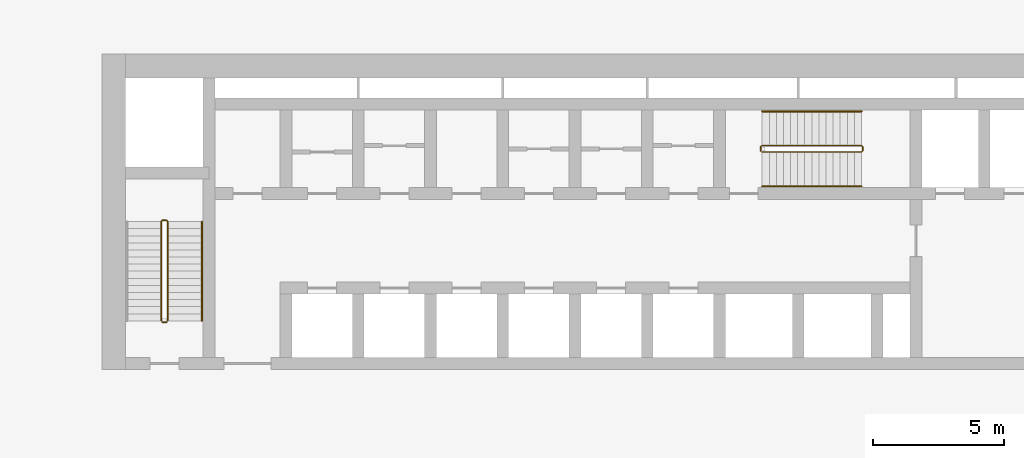
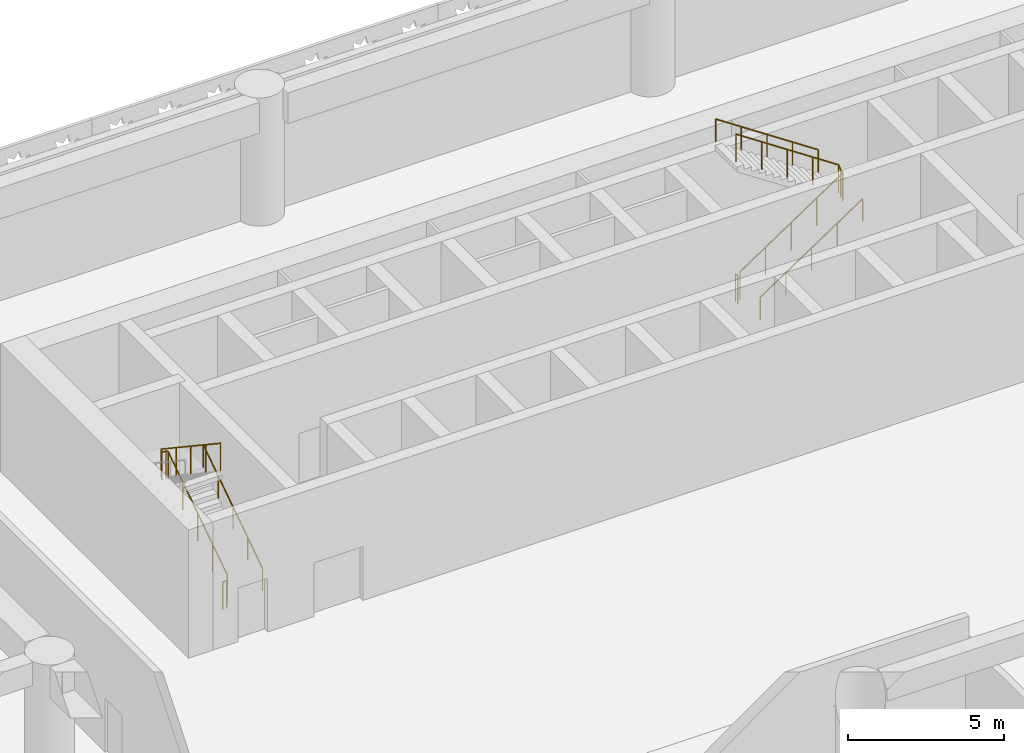
# One storey, part 26 of 30: 7 railings.
"""IFC4 building model written with IfcOpenShell, lengths in metres."""

from ifc_helpers import new_model, si_unit, direction, frame, origin, origin_2d, place, context, subcontext, project, spatial, circle, extrude, material, type_object, element, save


model = new_model("IFC4")

# Units and contexts
model_context = context("Model", 3, precision=1e-05, world=origin(), true_north=direction((0.0, 1.0)))
body_context = subcontext(model_context, "Body", "Model", "MODEL_VIEW")
ifc_project = project(units=[si_unit("LENGTHUNIT", "METRE"), si_unit("AREAUNIT", "SQUARE_METRE"), si_unit("VOLUMEUNIT", "CUBIC_METRE"), si_unit("PLANEANGLEUNIT", "RADIAN"), si_unit("MASSUNIT", "GRAM", prefix="KILO")], contexts=[model_context])

# Site, building, storey
site_placement = place(None, origin())
site = spatial("IfcSite", under=ifc_project, at=site_placement, CompositionType="ELEMENT")
building_placement = place(site_placement, origin())
building = spatial("IfcBuilding", under=site, at=building_placement, Name="Saffron Iwan Residences", CompositionType="ELEMENT")
storey_placement = place(building_placement, frame((0.0, 0.0, 7.800048828125)))
storey = spatial("IfcBuildingStorey", under=building, at=storey_placement, Name="L01", CompositionType="ELEMENT", Elevation=7.800048828125)

# Railings
ifc_material_1 = material(Name="Steel S355", Category="steel")
railing_type_1 = type_object("IfcRailingType", Name="Stair guard 1100", PredefinedType="GUARDRAIL", material=ifc_material_1)
railing_1_placement = place(storey_placement, frame((31.300048828125, 67.85009765625, 0.179931640625)))
element("IfcRailing", 1, at=railing_1_placement, inside=storey, type_object=railing_type_1, Name="L01 ST-W stair guard 1", PredefinedType="GUARDRAIL", context=body_context, shape_type="SweptSolid", body=[
    extrude(circle(Radius=0.02392578125, at=origin_2d()), frame((0.0, 0.0, 1.076171875), z_axis=(0.0, 0.832033757966, 0.554724999982), x_axis=(-1.0, 0.0, 0.0)), (0.0, 0.0, 1.0), 4.542724609375),
    extrude(circle(Radius=0.02392578125, at=origin_2d()), frame((0.0, 3.77978515625, 3.59619140625), z_axis=(-0.707106781187, 0.707106781187, 0.0), x_axis=(-0.707106781187, -0.707106781187, 0.0)), (0.0, 0.0, 1.0), 0.07080078125),
    extrude(circle(Radius=0.02392578125, at=origin_2d()), frame((-0.050048828125, 3.829833984375, 3.59619140625), z_axis=(-1.0, 0.0, 0.0), x_axis=(0.0, -1.0, 0.0)), (0.0, 0.0, 1.0), 0.14990234375),
    extrude(circle(Radius=0.02392578125, at=origin_2d()), frame((-0.199951171875, 3.829833984375, 3.59619140625), z_axis=(-0.258847668887, -0.258847668887, 0.930588936439), x_axis=(0.707106781187, -0.707106781187, 0.0)), (0.0, 0.0, 1.0), 0.193359375),
    extrude(circle(Radius=0.02392578125, at=origin_2d()), frame((-0.25, 3.77978515625, 3.77587890625), z_axis=(0.0, -0.832033757966, 0.554724999982), x_axis=(1.0, 0.0, 0.0)), (0.0, 0.0, 1.0), 4.542724609375),
    extrude(circle(Radius=0.02099609375, at=origin_2d()), origin(), (0.0, 0.0, 1.0), 1.052001953125),
    extrude(circle(Radius=0.02099609375, at=origin_2d()), frame((0.0, 0.94482421875, 0.6298828125)), (0.0, 0.0, 1.0), 1.052001953125),
    extrude(circle(Radius=0.02099609375, at=origin_2d()), frame((0.0, 1.889892578125, 1.260009765625)), (0.0, 0.0, 1.0), 1.052001953125),
    extrude(circle(Radius=0.02099609375, at=origin_2d()), frame((0.0, 2.8349609375, 1.89013671875)), (0.0, 0.0, 1.0), 1.052001953125),
    extrude(circle(Radius=0.02099609375, at=origin_2d()), frame((0.0, 3.77978515625, 2.52001953125)), (0.0, 0.0, 1.0), 1.052001953125),
    extrude(circle(Radius=0.02099609375, at=origin_2d()), frame((-0.050048828125, 3.829833984375, 2.52001953125)), (0.0, 0.0, 1.0), 1.052001953125),
    extrude(circle(Radius=0.02099609375, at=origin_2d()), frame((-0.199951171875, 3.829833984375, 2.52001953125)), (0.0, 0.0, 1.0), 1.052001953125),
    extrude(circle(Radius=0.02099609375, at=origin_2d()), frame((-0.25, 3.77978515625, 2.699951171875)), (0.0, 0.0, 1.0), 1.052001953125),
    extrude(circle(Radius=0.02099609375, at=origin_2d()), frame((-0.25, 2.8349609375, 3.330078125)), (0.0, 0.0, 1.0), 1.052001953125),
    extrude(circle(Radius=0.02099609375, at=origin_2d()), frame((-0.25, 1.889892578125, 3.9599609375)), (0.0, 0.0, 1.0), 1.052001953125),
    extrude(circle(Radius=0.02099609375, at=origin_2d()), frame((-0.25, 0.94482421875, 4.58984375)), (0.0, 0.0, 1.0), 1.052001953125),
    extrude(circle(Radius=0.02099609375, at=origin_2d()), frame((-0.25, 0.0, 5.219970703125)), (0.0, 0.0, 1.0), 1.052001953125),
])
railing_2_placement = place(storey_placement, frame((31.25, 67.800048828125, 0.0)))
element("IfcRailing", 2, at=railing_2_placement, inside=storey, type_object=railing_type_1, Name="L01 ST-W stair guard 2", PredefinedType="GUARDRAIL", context=body_context, shape_type="SweptSolid", body=[
    extrude(circle(Radius=0.02392578125, at=origin_2d()), frame((0.0, 0.0, 1.076171875), z_axis=(-1.0, 0.0, 0.0), x_axis=(0.0, -1.0, 0.0)), (0.0, 0.0, 1.0), 0.14990234375),
    extrude(circle(Radius=0.02099609375, at=origin_2d()), origin(), (0.0, 0.0, 1.0), 1.052001953125),
    extrude(circle(Radius=0.02099609375, at=origin_2d()), frame((-0.14990234375, 0.0, 0.0)), (0.0, 0.0, 1.0), 1.052001953125),
])
railing_3_placement = place(storey_placement, frame((53.925048828125, 74.27490234375, 0.179931640625)))
element("IfcRailing", 3, at=railing_3_placement, inside=storey, type_object=railing_type_1, Name="L01 ST-C stair guard 1", PredefinedType="GUARDRAIL", context=body_context, shape_type="SweptSolid", body=[
    extrude(circle(Radius=0.02392578125, at=origin_2d()), frame((0.0, 0.0, 1.076171875), z_axis=(0.832050294338, 0.0, 0.554700196225), x_axis=(0.0, 1.0, 0.0)), (0.0, 0.0, 1.0), 4.54296875),
    extrude(circle(Radius=0.02392578125, at=origin_2d()), frame((3.780029296875, 0.0, 3.59619140625), z_axis=(0.705375805398, 0.708833529934, 0.0), x_axis=(-0.708833529934, 0.705375805398, 0.0)), (0.0, 0.0, 1.0), 0.070556640625),
    extrude(circle(Radius=0.02392578125, at=origin_2d()), frame((3.829833984375, 0.050048828125, 3.59619140625), z_axis=(0.0, 1.0, 0.0), x_axis=(-1.0, 0.0, 0.0)), (0.0, 0.0, 1.0), 0.150146484375),
    extrude(circle(Radius=0.02392578125, at=origin_2d()), frame((3.829833984375, 0.2001953125, 3.59619140625), z_axis=(-0.257753129075, 0.257753129075, 0.931196353571), x_axis=(-0.707106781187, -0.707106781187, 0.0)), (0.0, 0.0, 1.0), 0.193115234375),
    extrude(circle(Radius=0.02392578125, at=origin_2d()), frame((3.780029296875, 0.25, 3.77587890625), z_axis=(-0.832050294338, 0.0, 0.554700196225), x_axis=(0.0, -1.0, 0.0)), (0.0, 0.0, 1.0), 4.54296875),
    extrude(circle(Radius=0.02099609375, at=origin_2d()), origin(), (0.0, 0.0, 1.0), 1.052001953125),
    extrude(circle(Radius=0.02099609375, at=origin_2d()), frame((0.945068359375, 0.0, 0.6298828125)), (0.0, 0.0, 1.0), 1.052001953125),
    extrude(circle(Radius=0.02099609375, at=origin_2d()), frame((1.89013671875, 0.0, 1.260009765625)), (0.0, 0.0, 1.0), 1.052001953125),
    extrude(circle(Radius=0.02099609375, at=origin_2d()), frame((2.8349609375, 0.0, 1.89013671875)), (0.0, 0.0, 1.0), 1.052001953125),
    extrude(circle(Radius=0.02099609375, at=origin_2d()), frame((3.780029296875, 0.0, 2.52001953125)), (0.0, 0.0, 1.0), 1.052001953125),
    extrude(circle(Radius=0.02099609375, at=origin_2d()), frame((3.829833984375, 0.050048828125, 2.52001953125)), (0.0, 0.0, 1.0), 1.052001953125),
    extrude(circle(Radius=0.02099609375, at=origin_2d()), frame((3.829833984375, 0.2001953125, 2.52001953125)), (0.0, 0.0, 1.0), 1.052001953125),
    extrude(circle(Radius=0.02099609375, at=origin_2d()), frame((3.780029296875, 0.25, 2.699951171875)), (0.0, 0.0, 1.0), 1.052001953125),
    extrude(circle(Radius=0.02099609375, at=origin_2d()), frame((2.8349609375, 0.25, 3.330078125)), (0.0, 0.0, 1.0), 1.052001953125),
    extrude(circle(Radius=0.02099609375, at=origin_2d()), frame((1.89013671875, 0.25, 3.9599609375)), (0.0, 0.0, 1.0), 1.052001953125),
    extrude(circle(Radius=0.02099609375, at=origin_2d()), frame((0.945068359375, 0.25, 4.58984375)), (0.0, 0.0, 1.0), 1.052001953125),
    extrude(circle(Radius=0.02099609375, at=origin_2d()), frame((0.0, 0.25, 5.219970703125)), (0.0, 0.0, 1.0), 1.052001953125),
])
railing_4_placement = place(storey_placement, frame((53.875, 74.324951171875, 0.0)))
element("IfcRailing", 4, at=railing_4_placement, inside=storey, type_object=railing_type_1, Name="L01 ST-C stair guard 2", PredefinedType="GUARDRAIL", context=body_context, shape_type="SweptSolid", body=[
    extrude(circle(Radius=0.02392578125, at=origin_2d()), frame((0.0, 0.0, 1.076171875), z_axis=(0.0, 1.0, 0.0), x_axis=(-1.0, 0.0, 0.0)), (0.0, 0.0, 1.0), 0.150146484375),
    extrude(circle(Radius=0.02099609375, at=origin_2d()), origin(), (0.0, 0.0, 1.0), 1.052001953125),
    extrude(circle(Radius=0.02099609375, at=origin_2d()), frame((0.0, 0.150146484375, 0.0)), (0.0, 0.0, 1.0), 1.052001953125),
])
ifc_material_2 = material(Name="Stainless steel 316", Category="steel")
railing_type_2 = type_object("IfcRailingType", Name="Stair handrail 900", PredefinedType="HANDRAIL", material=ifc_material_2)
railing_5_placement = place(storey_placement, frame((32.60009765625, 67.85009765625, 0.179931640625)))
element("IfcRailing", 5, at=railing_5_placement, inside=storey, type_object=railing_type_2, Name="L01 ST-W stair handrail 1", PredefinedType="HANDRAIL", context=body_context, shape_type="SweptSolid", body=[
    extrude(circle(Radius=0.02392578125, at=origin_2d()), frame((0.0, 0.0, 0.8759765625), z_axis=(0.0, 0.832033757966, 0.554724999982), x_axis=(-1.0, 0.0, 0.0)), (0.0, 0.0, 1.0), 4.542724609375),
    extrude(circle(Radius=0.02099609375, at=origin_2d()), origin(), (0.0, 0.0, 1.0), 0.851806640625),
    extrude(circle(Radius=0.02099609375, at=origin_2d()), frame((0.0, 0.94482421875, 0.6298828125)), (0.0, 0.0, 1.0), 0.851806640625),
    extrude(circle(Radius=0.02099609375, at=origin_2d()), frame((0.0, 1.889892578125, 1.260009765625)), (0.0, 0.0, 1.0), 0.851806640625),
    extrude(circle(Radius=0.02099609375, at=origin_2d()), frame((0.0, 2.8349609375, 1.89013671875)), (0.0, 0.0, 1.0), 0.851806640625),
    extrude(circle(Radius=0.02099609375, at=origin_2d()), frame((0.0, 3.77978515625, 2.52001953125)), (0.0, 0.0, 1.0), 0.851806640625),
])
railing_6_placement = place(storey_placement, frame((53.925048828125, 72.97509765625, 0.179931640625)))
element("IfcRailing", 6, at=railing_6_placement, inside=storey, type_object=railing_type_2, Name="L01 ST-C stair handrail 1", PredefinedType="HANDRAIL", context=body_context, shape_type="SweptSolid", body=[
    extrude(circle(Radius=0.02392578125, at=origin_2d()), frame((0.0, 0.0, 0.8759765625), z_axis=(0.832050294338, 0.0, 0.554700196225), x_axis=(0.0, 1.0, 0.0)), (0.0, 0.0, 1.0), 4.54296875),
    extrude(circle(Radius=0.02099609375, at=origin_2d()), origin(), (0.0, 0.0, 1.0), 0.851806640625),
    extrude(circle(Radius=0.02099609375, at=origin_2d()), frame((0.945068359375, 0.0, 0.6298828125)), (0.0, 0.0, 1.0), 0.851806640625),
    extrude(circle(Radius=0.02099609375, at=origin_2d()), frame((1.89013671875, 0.0, 1.260009765625)), (0.0, 0.0, 1.0), 0.851806640625),
    extrude(circle(Radius=0.02099609375, at=origin_2d()), frame((2.8349609375, 0.0, 1.89013671875)), (0.0, 0.0, 1.0), 0.851806640625),
    extrude(circle(Radius=0.02099609375, at=origin_2d()), frame((3.780029296875, 0.0, 2.52001953125)), (0.0, 0.0, 1.0), 0.851806640625),
])
railing_7_placement = place(storey_placement, frame((57.705078125, 75.824951171875, 2.8798828125)))
element("IfcRailing", 7, at=railing_7_placement, inside=storey, type_object=railing_type_2, Name="L01 ST-C stair handrail 2", PredefinedType="HANDRAIL", context=body_context, shape_type="SweptSolid", body=[
    extrude(circle(Radius=0.02392578125, at=origin_2d()), frame((0.0, 0.0, 0.8759765625), z_axis=(-0.832050294338, 0.0, 0.554700196225), x_axis=(0.0, -1.0, 0.0)), (0.0, 0.0, 1.0), 4.54296875),
    extrude(circle(Radius=0.02099609375, at=origin_2d()), origin(), (0.0, 0.0, 1.0), 0.851806640625),
    extrude(circle(Radius=0.02099609375, at=origin_2d()), frame((-0.945068359375, 0.0, 0.6298828125)), (0.0, 0.0, 1.0), 0.851806640625),
    extrude(circle(Radius=0.02099609375, at=origin_2d()), frame((-1.89013671875, 0.0, 1.260009765625)), (0.0, 0.0, 1.0), 0.851806640625),
    extrude(circle(Radius=0.02099609375, at=origin_2d()), frame((-2.8349609375, 0.0, 1.89013671875)), (0.0, 0.0, 1.0), 0.851806640625),
    extrude(circle(Radius=0.02099609375, at=origin_2d()), frame((-3.780029296875, 0.0, 2.52001953125)), (0.0, 0.0, 1.0), 0.851806640625),
])

save(model, "model.ifc")
